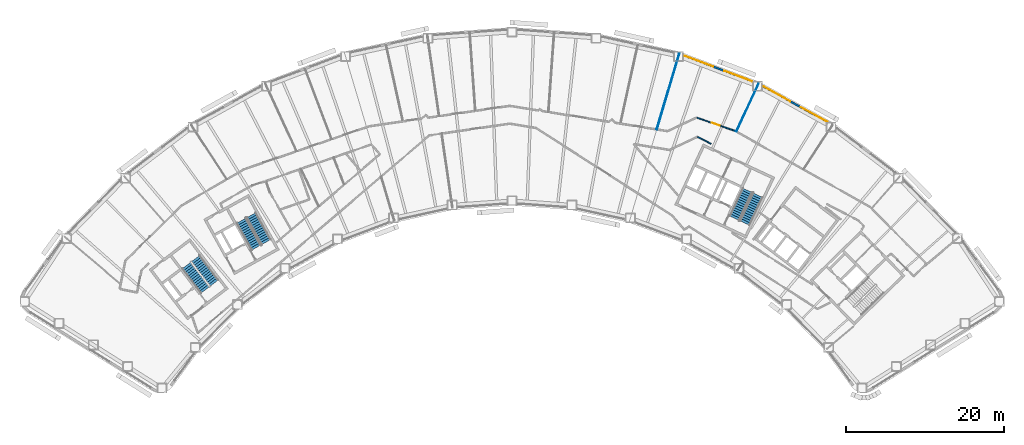
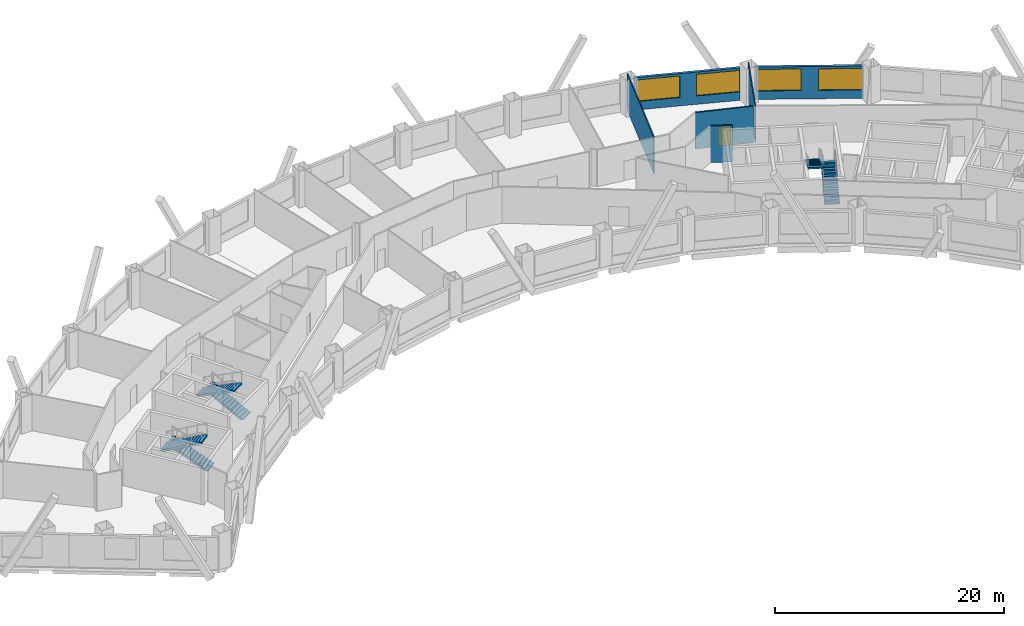
# One storey, part 9 of 12: 6 stair flights, 6 walls, 4 windows, 1 door, 5 openings, 3 elements without a shape of their own.
"""IFC4 building model written with IfcOpenShell, lengths in metres."""

from ifc_helpers import new_model, si_unit, direction, frame, frame_2d, origin, place, context, subcontext, project, spatial, polyline, rectangle, outline, extrude, material, layer, layer_set, type_object, element, fill, aggregate, save


model = new_model("IFC4")

# Units and contexts
model_context = context("Model", 3, precision=1e-05, world=origin(), true_north=direction((0.0, 1.0)))
body_context = subcontext(model_context, "Body", "Model", "MODEL_VIEW")
ifc_project = project(units=[si_unit("LENGTHUNIT", "METRE"), si_unit("AREAUNIT", "SQUARE_METRE"), si_unit("VOLUMEUNIT", "CUBIC_METRE"), si_unit("PLANEANGLEUNIT", "RADIAN"), si_unit("MASSUNIT", "GRAM", prefix="KILO")], contexts=[model_context])

# Site, building, storey
site_placement = place(None, origin())
site = spatial("IfcSite", under=ifc_project, at=site_placement, CompositionType="ELEMENT")
building_placement = place(site_placement, origin())
building = spatial("IfcBuilding", under=site, at=building_placement, Name="Tuul Gate Civic Tower", CompositionType="ELEMENT")
storey_placement = place(building_placement, frame((0.0, 0.0, 82.199951171875)))
storey = spatial("IfcBuildingStorey", under=building, at=storey_placement, Name="Level 18", CompositionType="ELEMENT", Elevation=82.199951171875)

# Wall, opening, door
ifc_material_1 = material(Name="Gypsum board partition")
ifc_layer_1 = layer(ifc_material_1, 0.14990234375)
ifc_layer_set_1 = layer_set([ifc_layer_1], Name="Gypsum board partition")
wall_type_1 = type_object("IfcWallType", Name="Corridor wall P150", PredefinedType="PARTITIONING", material=ifc_layer_set_1)
wall_1_placement = place(storey_placement, frame((28.1591796875, 7.878173828125, 0.0), z_axis=(0.0, 0.0, 1.0), x_axis=(0.945540696843, -0.32550390261, 0.0)))
wall_1 = element("IfcWall", 1, at=wall_1_placement, inside=storey, type_object=wall_type_1, Name="p013", PredefinedType="PARTITIONING", context=body_context, shape_type="SweptSolid", body=[
    extrude(rectangle(XDim=5.1474609375, YDim=0.14990234375, at=frame_2d((2.57373046875, 0.0))), origin(), (0.0, 0.0, 1.0), 3.900146484375),
])
opening_1_placement = place(wall_1_placement, frame((2.023681640625, 0.0, 0.0)))
opening_1 = element("IfcOpeningElement", 2, at=opening_1_placement, cuts=wall_1, Name="Opening E-D04", PredefinedType="OPENING", context=body_context, shape_type="SweptSolid", body=[
    extrude(rectangle(XDim=1.10009765625, YDim=2.10009765625, at=frame_2d((0.550048828125, 1.050048828125))), frame((0.0, 0.0849609375, 0.0), z_axis=(0.0, -1.0, 0.0), x_axis=(1.0, 0.0, 0.0)), (0.0, 0.0, 1.0), 0.169921875),
])
ifc_material_2 = material(Name="Timber door leaf", Category="wood")
door_type = type_object("IfcDoorType", Name="Door D11", OperationType="NOTDEFINED", PredefinedType="DOOR", material=ifc_material_2)
door_placement = place(opening_1_placement, origin())
door = element("IfcDoor", 3, at=door_placement, inside=storey, type_object=door_type, Name="Door E-D04", OperationType="SINGLE_SWING_RIGHT", OverallHeight=2.10009765625, OverallWidth=1.10009765625, PredefinedType="DOOR", context=body_context, shape_type="SweptSolid", body=[
    extrude(rectangle(XDim=1.10009765625, YDim=2.10009765625, at=frame_2d((0.550048828125, 1.050048828125))), frame((0.0, 0.02490234375, 0.0), z_axis=(0.0, -1.0, 0.0), x_axis=(1.0, 0.0, 0.0)), (0.0, 0.0, 1.0), 0.050048828125),
])
fill(opening_1, door)

# Wall
wall_2_placement = place(storey_placement, frame((28.301025390625, 5.4482421875, 0.0), z_axis=(0.0, 0.0, 1.0), x_axis=(0.886812563629, -0.462129286011, 0.0)))
element("IfcWall", 4, at=wall_2_placement, inside=storey, type_object=wall_type_1, Name="p061", PredefinedType="PARTITIONING", context=body_context, shape_type="SweptSolid", body=[
    extrude(rectangle(XDim=1.929931640625, YDim=0.14990234375, at=frame_2d((0.96484375, 0.0))), origin(), (0.0, 0.0, 1.0), 3.900146484375),
])

# Wall, openings, windows
ifc_material_3 = material(Name="Precast concrete C40/50", Category="concrete")
ifc_layer_2 = layer(ifc_material_3, 0.25)
ifc_layer_set_2 = layer_set([ifc_layer_2], Name="Precast concrete C40/50")
wall_type_2 = type_object("IfcWallType", Name="External wall", PredefinedType="STANDARD", material=ifc_layer_set_2)
wall_3_placement = place(storey_placement, frame((44.798583984375, 7.283935546875, 0.0), z_axis=(0.0, 0.0, 1.0), x_axis=(-0.874600835604, 0.484843663835, 0.0)))
wall_3 = element("IfcWall", 5, at=wall_3_placement, inside=storey, type_object=wall_type_2, Name="External wall", PredefinedType="STANDARD", context=body_context, shape_type="SweptSolid", body=[
    extrude(rectangle(XDim=9.5205078125, YDim=0.25, at=frame_2d((4.76025390625, 0.0))), origin(), (0.0, 0.0, 1.0), 3.449951171875),
])
opening_2_placement = place(wall_3_placement, frame((0.0771484375, 0.0, 0.89990234375)))
opening_2 = element("IfcOpeningElement", 6, at=opening_2_placement, cuts=wall_3, Name="Opening W22", PredefinedType="OPENING", context=body_context, shape_type="SweptSolid", body=[
    extrude(rectangle(XDim=3.85009765625, YDim=2.300048828125, at=frame_2d((1.925048828125, 1.14990234375))), frame((0.0, 0.135009765625, 0.0), z_axis=(0.0, -1.0, 0.0), x_axis=(1.0, 0.0, 0.0)), (0.0, 0.0, 1.0), 0.27001953125),
])
opening_3_placement = place(wall_3_placement, frame((5.447998046875, 0.0, 0.89990234375)))
opening_3 = element("IfcOpeningElement", 7, at=opening_3_placement, cuts=wall_3, Name="Opening W22", PredefinedType="OPENING", context=body_context, shape_type="SweptSolid", body=[
    extrude(rectangle(XDim=3.85009765625, YDim=2.300048828125, at=frame_2d((1.925048828125, 1.14990234375))), frame((0.0, 0.135009765625, 0.0), z_axis=(0.0, -1.0, 0.0), x_axis=(1.0, 0.0, 0.0)), (0.0, 0.0, 1.0), 0.27001953125),
])
ifc_material_4 = material(Name="Glass", Category="glass")
window_type_1 = type_object("IfcWindowType", Name="Window W22 3850 x 2300", PartitioningType="SINGLE_PANEL", PredefinedType="WINDOW", material=ifc_material_4)
window_1_placement = place(opening_2_placement, origin())
window_1 = element("IfcWindow", 8, at=window_1_placement, inside=storey, type_object=window_type_1, Name="Window", OverallHeight=2.300048828125, OverallWidth=3.85009765625, PartitioningType="SINGLE_PANEL", PredefinedType="WINDOW", context=body_context, shape_type="SweptSolid", body=[
    extrude(rectangle(XDim=3.85009765625, YDim=2.300048828125, at=frame_2d((1.925048828125, 1.14990234375))), frame((0.0, 0.030029296875, 0.0), z_axis=(0.0, -1.0, 0.0), x_axis=(1.0, 0.0, 0.0)), (0.0, 0.0, 1.0), 0.06005859375),
])
fill(opening_2, window_1)
window_2_placement = place(opening_3_placement, origin())
window_2 = element("IfcWindow", 9, at=window_2_placement, inside=storey, type_object=window_type_1, Name="Window", OverallHeight=2.300048828125, OverallWidth=3.85009765625, PartitioningType="SINGLE_PANEL", PredefinedType="WINDOW", context=body_context, shape_type="SweptSolid", body=[
    extrude(rectangle(XDim=3.85009765625, YDim=2.300048828125, at=frame_2d((1.925048828125, 1.14990234375))), frame((0.0, 0.030029296875, 0.0), z_axis=(0.0, -1.0, 0.0), x_axis=(1.0, 0.0, 0.0)), (0.0, 0.0, 1.0), 0.06005859375),
])
fill(opening_3, window_2)

wall_4_placement = place(storey_placement, frame((35.27197265625, 12.43505859375, 0.0), z_axis=(0.0, 0.0, 1.0), x_axis=(-0.935339717619, 0.35375077759, 0.0)))
wall_4 = element("IfcWall", 10, at=wall_4_placement, inside=storey, type_object=wall_type_2, Name="External wall", PredefinedType="STANDARD", context=body_context, shape_type="SweptSolid", body=[
    extrude(rectangle(XDim=9.394287109375, YDim=0.25, at=frame_2d((4.697265625, 0.0))), origin(), (0.0, 0.0, 1.0), 3.449951171875),
])
opening_4_placement = place(wall_4_placement, frame((0.044921875, 0.0, 0.89990234375)))
opening_4 = element("IfcOpeningElement", 11, at=opening_4_placement, cuts=wall_4, Name="Opening W100", PredefinedType="OPENING", context=body_context, shape_type="SweptSolid", body=[
    extrude(rectangle(XDim=3.800048828125, YDim=2.300048828125, at=frame_2d((1.89990234375, 1.14990234375))), frame((0.0, 0.135009765625, 0.0), z_axis=(0.0, -1.0, 0.0), x_axis=(1.0, 0.0, 0.0)), (0.0, 0.0, 1.0), 0.27001953125),
])
opening_5_placement = place(wall_4_placement, frame((5.33447265625, 0.0, 0.89990234375)))
opening_5 = element("IfcOpeningElement", 12, at=opening_5_placement, cuts=wall_4, Name="Opening W22", PredefinedType="OPENING", context=body_context, shape_type="SweptSolid", body=[
    extrude(rectangle(XDim=3.85009765625, YDim=2.300048828125, at=frame_2d((1.925048828125, 1.14990234375))), frame((0.0, 0.135009765625, 0.0), z_axis=(0.0, -1.0, 0.0), x_axis=(1.0, 0.0, 0.0)), (0.0, 0.0, 1.0), 0.27001953125),
])
ifc_material_5 = material(Name="Glass", Category="glass")
window_type_2 = type_object("IfcWindowType", Name="Window W100 3800 x 2300", PartitioningType="SINGLE_PANEL", PredefinedType="WINDOW", material=ifc_material_5)
window_3_placement = place(opening_4_placement, origin())
window_3 = element("IfcWindow", 13, at=window_3_placement, inside=storey, type_object=window_type_2, Name="Window", OverallHeight=2.300048828125, OverallWidth=3.800048828125, PartitioningType="SINGLE_PANEL", PredefinedType="WINDOW", context=body_context, shape_type="SweptSolid", body=[
    extrude(rectangle(XDim=3.800048828125, YDim=2.300048828125, at=frame_2d((1.89990234375, 1.14990234375))), frame((0.0, 0.030029296875, 0.0), z_axis=(0.0, -1.0, 0.0), x_axis=(1.0, 0.0, 0.0)), (0.0, 0.0, 1.0), 0.06005859375),
])
fill(opening_4, window_3)
window_4_placement = place(opening_5_placement, origin())
window_4 = element("IfcWindow", 14, at=window_4_placement, inside=storey, type_object=window_type_1, Name="Window", OverallHeight=2.300048828125, OverallWidth=3.85009765625, PartitioningType="SINGLE_PANEL", PredefinedType="WINDOW", context=body_context, shape_type="SweptSolid", body=[
    extrude(rectangle(XDim=3.85009765625, YDim=2.300048828125, at=frame_2d((1.925048828125, 1.14990234375))), frame((0.0, 0.030029296875, 0.0), z_axis=(0.0, -1.0, 0.0), x_axis=(1.0, 0.0, 0.0)), (0.0, 0.0, 1.0), 0.06005859375),
])
fill(opening_5, window_4)

# Walls
ifc_material_6 = material(Name="Gypsum board partition")
ifc_layer_3 = layer(ifc_material_6, 0.10009765625)
ifc_layer_set_3 = layer_set([ifc_layer_3], Name="Gypsum board partition")
wall_type_3 = type_object("IfcWallType", Name="Partition P100", PredefinedType="PARTITIONING", material=ifc_layer_set_3)
wall_5_placement = place(storey_placement, frame((33.204345703125, 6.102294921875, 0.0), z_axis=(0.0, 0.0, 1.0), x_axis=(0.420337673154, 0.90736775374, 0.0)))
element("IfcWall", 15, at=wall_5_placement, inside=storey, type_object=wall_type_3, Name="p011", PredefinedType="PARTITIONING", context=body_context, shape_type="SweptSolid", body=[
    extrude(rectangle(XDim=6.677001953125, YDim=0.10009765625, at=frame_2d((3.33837890625, 0.0))), origin(), (0.0, 0.0, 1.0), 3.900146484375),
])
wall_6_placement = place(storey_placement, frame((23.12890625, 6.375732421875, 0.0), z_axis=(0.0, 0.0, 1.0), x_axis=(0.285222605496, 0.958461300895, 0.0)))
element("IfcWall", 16, at=wall_6_placement, inside=storey, type_object=wall_type_3, Name="p012", PredefinedType="PARTITIONING", context=body_context, shape_type="SweptSolid", body=[
    extrude(rectangle(XDim=9.994140625, YDim=0.10009765625, at=frame_2d((4.9970703125, 0.0))), origin(), (0.0, 0.0, 1.0), 3.900146484375),
])

# Stair, stair flights
ifc_material_7 = material(Name="Concrete C40/50", Category="concrete")
stair_type = type_object("IfcStairType", Name="Exit stair", PredefinedType="HALF_TURN_STAIR", material=ifc_material_7)
stair_1_placement = place(storey_placement, origin())
stair_1 = element("IfcStair", 17, at=stair_1_placement, inside=storey, type_object=stair_type, Name="Level 18 ST-1", PredefinedType="HALF_TURN_STAIR")
ifc_material_8 = material(Name="Concrete C40/50", Category="concrete")
stair_flight_type = type_object("IfcStairFlightType", Name="Exit stair flight", PredefinedType="STRAIGHT", material=ifc_material_8)
stair_flight_1_placement = place(storey_placement, frame((-32.875244140625, -13.066650390625, 0.0), z_axis=(0.0, 0.0, 1.0), x_axis=(-0.605764474941, 0.795644016442, 0.0)))
stair_flight_1 = element("IfcStairFlight", 18, at=stair_flight_1_placement, type_object=stair_flight_type, Name="ST-1 flight 1", NumberOfRisers=14, NumberOfTreads=13, PredefinedType="STRAIGHT", RiserHeight=0.15, TreadLength=0.3, context=body_context, shape_type="SweptSolid", body=[
    extrude(outline(polyline([(0.0, 0.0), (0.0, 0.14990234375), (0.300048828125, 0.14990234375), (0.300048828125, 0.300048828125), (0.60009765625, 0.300048828125), (0.60009765625, 0.449951171875), (0.89990234375, 0.449951171875), (0.89990234375, 0.60009765625), (1.199951171875, 0.60009765625), (1.199951171875, 0.75), (1.5, 0.75), (1.5, 0.89990234375), (1.800048828125, 0.89990234375), (1.800048828125, 1.050048828125), (2.10009765625, 1.050048828125), (2.10009765625, 1.199951171875), (2.39990234375, 1.199951171875), (2.39990234375, 1.35009765625), (2.699951171875, 1.35009765625), (2.699951171875, 1.5), (3.0, 1.5), (3.0, 1.64990234375), (3.300048828125, 1.64990234375), (3.300048828125, 1.800048828125), (3.60009765625, 1.800048828125), (3.60009765625, 1.949951171875), (3.89990234375, 1.949951171875), (3.89990234375, 2.10009765625), (3.89990234375, 1.782470703125), (0.335205078125, 0.0), (0.0, 0.0)])), frame((0.0, 0.675048828125, 0.0), z_axis=(0.0, -1.0, 0.0), x_axis=(1.0, 0.0, 0.0)), (0.0, 0.0, 1.0), 1.35009765625),
])
stair_flight_2_placement = place(storey_placement, frame((-36.391357421875, -10.842041015625, 2.10009765625), z_axis=(0.0, 0.0, 1.0), x_axis=(0.605764474941, -0.795644016442, 0.0)))
stair_flight_2 = element("IfcStairFlight", 19, at=stair_flight_2_placement, type_object=stair_flight_type, Name="ST-1 flight 2", NumberOfRisers=14, NumberOfTreads=13, PredefinedType="STRAIGHT", RiserHeight=0.15, TreadLength=0.3, context=body_context, shape_type="SweptSolid", body=[
    extrude(outline(polyline([(0.0, 0.0), (0.0, 0.14990234375), (0.300048828125, 0.14990234375), (0.300048828125, 0.300048828125), (0.60009765625, 0.300048828125), (0.60009765625, 0.449951171875), (0.89990234375, 0.449951171875), (0.89990234375, 0.60009765625), (1.199951171875, 0.60009765625), (1.199951171875, 0.75), (1.5, 0.75), (1.5, 0.89990234375), (1.800048828125, 0.89990234375), (1.800048828125, 1.050048828125), (2.10009765625, 1.050048828125), (2.10009765625, 1.199951171875), (2.39990234375, 1.199951171875), (2.39990234375, 1.35009765625), (2.699951171875, 1.35009765625), (2.699951171875, 1.5), (3.0, 1.5), (3.0, 1.64990234375), (3.300048828125, 1.64990234375), (3.300048828125, 1.800048828125), (3.60009765625, 1.800048828125), (3.60009765625, 1.949951171875), (3.89990234375, 1.949951171875), (3.89990234375, 2.10009765625), (3.89990234375, 1.782470703125), (0.335205078125, 0.0), (0.0, 0.0)])), frame((0.0, 0.675048828125, 0.0), z_axis=(0.0, -1.0, 0.0), x_axis=(1.0, 0.0, 0.0)), (0.0, 0.0, 1.0), 1.35009765625),
])
aggregate(stair_1, [stair_flight_1, stair_flight_2])

stair_2_placement = place(storey_placement, origin())
stair_2 = element("IfcStair", 20, at=stair_2_placement, inside=storey, type_object=stair_type, Name="Level 18 ST-2", PredefinedType="HALF_TURN_STAIR")
stair_flight_3_placement = place(storey_placement, frame((-26.29150390625, -7.87646484375, 0.0), z_axis=(0.0, 0.0, 1.0), x_axis=(-0.484761763766, 0.874646232708, 0.0)))
stair_flight_3 = element("IfcStairFlight", 21, at=stair_flight_3_placement, type_object=stair_flight_type, Name="ST-2 flight 1", NumberOfRisers=14, NumberOfTreads=13, PredefinedType="STRAIGHT", RiserHeight=0.15, TreadLength=0.3, context=body_context, shape_type="SweptSolid", body=[
    extrude(outline(polyline([(0.0, 0.0), (0.0, 0.14990234375), (0.300048828125, 0.14990234375), (0.300048828125, 0.300048828125), (0.60009765625, 0.300048828125), (0.60009765625, 0.449951171875), (0.89990234375, 0.449951171875), (0.89990234375, 0.60009765625), (1.199951171875, 0.60009765625), (1.199951171875, 0.75), (1.5, 0.75), (1.5, 0.89990234375), (1.800048828125, 0.89990234375), (1.800048828125, 1.050048828125), (2.10009765625, 1.050048828125), (2.10009765625, 1.199951171875), (2.39990234375, 1.199951171875), (2.39990234375, 1.35009765625), (2.699951171875, 1.35009765625), (2.699951171875, 1.5), (3.0, 1.5), (3.0, 1.64990234375), (3.300048828125, 1.64990234375), (3.300048828125, 1.800048828125), (3.60009765625, 1.800048828125), (3.60009765625, 1.949951171875), (3.89990234375, 1.949951171875), (3.89990234375, 2.10009765625), (3.89990234375, 1.782470703125), (0.335205078125, 0.0), (0.0, 0.0)])), frame((0.0, 0.675048828125, 0.0), z_axis=(0.0, -1.0, 0.0), x_axis=(1.0, 0.0, 0.0)), (0.0, 0.0, 1.0), 1.35009765625),
])
stair_flight_4_placement = place(storey_placement, frame((-29.450439453125, -5.168212890625, 2.10009765625), z_axis=(0.0, 0.0, 1.0), x_axis=(0.484761763766, -0.874646232708, 0.0)))
stair_flight_4 = element("IfcStairFlight", 22, at=stair_flight_4_placement, type_object=stair_flight_type, Name="ST-2 flight 2", NumberOfRisers=14, NumberOfTreads=13, PredefinedType="STRAIGHT", RiserHeight=0.15, TreadLength=0.3, context=body_context, shape_type="SweptSolid", body=[
    extrude(outline(polyline([(0.0, 0.0), (0.0, 0.14990234375), (0.300048828125, 0.14990234375), (0.300048828125, 0.300048828125), (0.60009765625, 0.300048828125), (0.60009765625, 0.449951171875), (0.89990234375, 0.449951171875), (0.89990234375, 0.60009765625), (1.199951171875, 0.60009765625), (1.199951171875, 0.75), (1.5, 0.75), (1.5, 0.89990234375), (1.800048828125, 0.89990234375), (1.800048828125, 1.050048828125), (2.10009765625, 1.050048828125), (2.10009765625, 1.199951171875), (2.39990234375, 1.199951171875), (2.39990234375, 1.35009765625), (2.699951171875, 1.35009765625), (2.699951171875, 1.5), (3.0, 1.5), (3.0, 1.64990234375), (3.300048828125, 1.64990234375), (3.300048828125, 1.800048828125), (3.60009765625, 1.800048828125), (3.60009765625, 1.949951171875), (3.89990234375, 1.949951171875), (3.89990234375, 2.10009765625), (3.89990234375, 1.782470703125), (0.335205078125, 0.0), (0.0, 0.0)])), frame((0.0, 0.675048828125, 0.0), z_axis=(0.0, -1.0, 0.0), x_axis=(1.0, 0.0, 0.0)), (0.0, 0.0, 1.0), 1.35009765625),
])
aggregate(stair_2, [stair_flight_3, stair_flight_4])

stair_3_placement = place(storey_placement, origin())
stair_3 = element("IfcStair", 23, at=stair_3_placement, inside=storey, type_object=stair_type, Name="Level 18 ST-4", PredefinedType="HALF_TURN_STAIR")
stair_flight_5_placement = place(storey_placement, frame((34.278564453125, -5.478515625, 0.0), z_axis=(0.0, 0.0, 1.0), x_axis=(0.422576295988, 0.906327354806, 0.0)))
stair_flight_5 = element("IfcStairFlight", 24, at=stair_flight_5_placement, type_object=stair_flight_type, Name="ST-4 flight 1", NumberOfRisers=14, NumberOfTreads=13, PredefinedType="STRAIGHT", RiserHeight=0.15, TreadLength=0.3, context=body_context, shape_type="SweptSolid", body=[
    extrude(outline(polyline([(0.0, 0.0), (0.0, 0.14990234375), (0.300048828125, 0.14990234375), (0.300048828125, 0.300048828125), (0.60009765625, 0.300048828125), (0.60009765625, 0.449951171875), (0.89990234375, 0.449951171875), (0.89990234375, 0.60009765625), (1.199951171875, 0.60009765625), (1.199951171875, 0.75), (1.5, 0.75), (1.5, 0.89990234375), (1.800048828125, 0.89990234375), (1.800048828125, 1.050048828125), (2.10009765625, 1.050048828125), (2.10009765625, 1.199951171875), (2.39990234375, 1.199951171875), (2.39990234375, 1.35009765625), (2.699951171875, 1.35009765625), (2.699951171875, 1.5), (3.0, 1.5), (3.0, 1.64990234375), (3.300048828125, 1.64990234375), (3.300048828125, 1.800048828125), (3.60009765625, 1.800048828125), (3.60009765625, 1.949951171875), (3.89990234375, 1.949951171875), (3.89990234375, 2.10009765625), (3.89990234375, 1.782470703125), (0.335205078125, 0.0), (0.0, 0.0)])), frame((0.0, 0.675048828125, 0.0), z_axis=(0.0, -1.0, 0.0), x_axis=(1.0, 0.0, 0.0)), (0.0, 0.0, 1.0), 1.35009765625),
])
stair_flight_6_placement = place(storey_placement, frame((34.612548828125, -1.3310546875, 2.10009765625), z_axis=(0.0, 0.0, 1.0), x_axis=(-0.422576295988, -0.906327354806, 0.0)))
stair_flight_6 = element("IfcStairFlight", 25, at=stair_flight_6_placement, type_object=stair_flight_type, Name="ST-4 flight 2", NumberOfRisers=14, NumberOfTreads=13, PredefinedType="STRAIGHT", RiserHeight=0.15, TreadLength=0.3, context=body_context, shape_type="SweptSolid", body=[
    extrude(outline(polyline([(0.0, 0.0), (0.0, 0.14990234375), (0.300048828125, 0.14990234375), (0.300048828125, 0.300048828125), (0.60009765625, 0.300048828125), (0.60009765625, 0.449951171875), (0.89990234375, 0.449951171875), (0.89990234375, 0.60009765625), (1.199951171875, 0.60009765625), (1.199951171875, 0.75), (1.5, 0.75), (1.5, 0.89990234375), (1.800048828125, 0.89990234375), (1.800048828125, 1.050048828125), (2.10009765625, 1.050048828125), (2.10009765625, 1.199951171875), (2.39990234375, 1.199951171875), (2.39990234375, 1.35009765625), (2.699951171875, 1.35009765625), (2.699951171875, 1.5), (3.0, 1.5), (3.0, 1.64990234375), (3.300048828125, 1.64990234375), (3.300048828125, 1.800048828125), (3.60009765625, 1.800048828125), (3.60009765625, 1.949951171875), (3.89990234375, 1.949951171875), (3.89990234375, 2.10009765625), (3.89990234375, 1.782470703125), (0.335205078125, 0.0), (0.0, 0.0)])), frame((0.0, 0.675048828125, 0.0), z_axis=(0.0, -1.0, 0.0), x_axis=(1.0, 0.0, 0.0)), (0.0, 0.0, 1.0), 1.35009765625),
])
aggregate(stair_3, [stair_flight_5, stair_flight_6])

save(model, "model.ifc")
